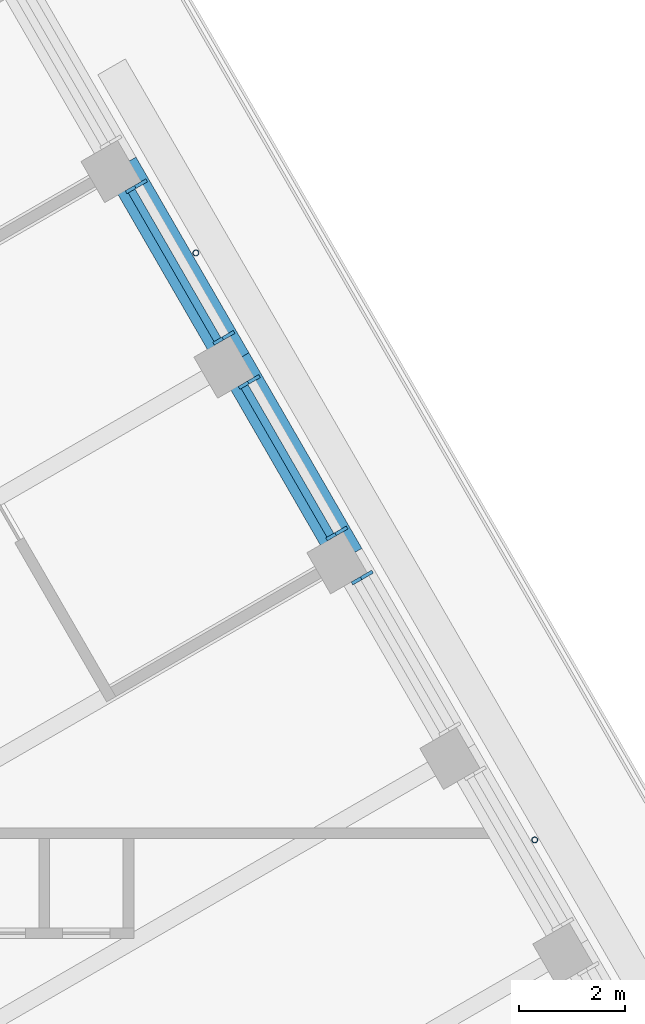
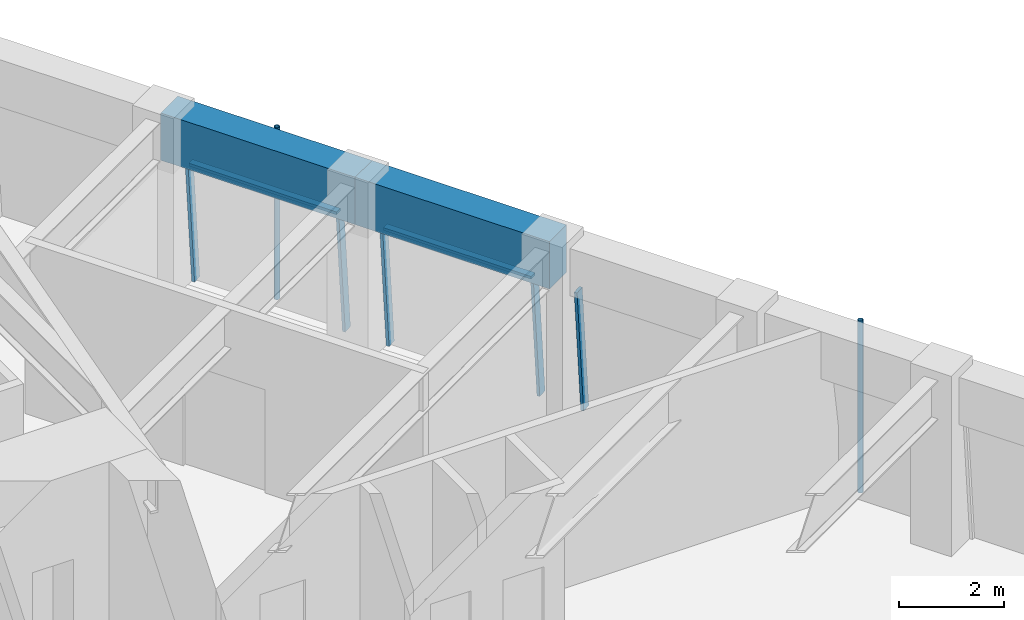
# One storey, part 10 of 19: 9 members, 2 beams, 3 elements without a shape of their own.
"""IFC4 building model written with IfcOpenShell, lengths in metres."""

from ifc_helpers import new_model, si_unit, direction, frame, origin, origin_2d, place, context, subcontext, project, spatial, rectangle, hollow_circle, extrude, material, material_profile, profile_set, type_object, element, aggregate, save


model = new_model("IFC4")

# Units and contexts
model_context = context("Model", 3, precision=1e-05, world=origin(), true_north=direction((0.0, 1.0)))
body_context = subcontext(model_context, "Body", "Model", "MODEL_VIEW")
ifc_project = project(units=[si_unit("LENGTHUNIT", "METRE"), si_unit("AREAUNIT", "SQUARE_METRE"), si_unit("VOLUMEUNIT", "CUBIC_METRE"), si_unit("PLANEANGLEUNIT", "RADIAN"), si_unit("MASSUNIT", "GRAM", prefix="KILO")], contexts=[model_context])

# Site, building, storey
site_placement = place(None, origin())
site = spatial("IfcSite", under=ifc_project, at=site_placement, CompositionType="ELEMENT")
building_placement = place(site_placement, origin())
building = spatial("IfcBuilding", under=site, at=building_placement, Name="Tarfa Lantern Tower", CompositionType="ELEMENT")
storey_placement = place(building_placement, frame((0.0, 0.0, 353.5)))
storey = spatial("IfcBuildingStorey", under=building, at=storey_placement, Name="L80", CompositionType="ELEMENT", Elevation=353.5)

# Curtain wall, member
ifc_material_1 = material(Name="Aluminium framed curtain wall", Category="aluminium")
curtain_wall_type = type_object("IfcCurtainWallType", Name="CW4 CANTED GLAZING EXECUTIVE ZONE 2900", PredefinedType="USERDEFINED", material=ifc_material_1)
curtain_wall_1_placement = place(storey_placement, origin())
curtain_wall_1 = element("IfcCurtainWall", 1, at=curtain_wall_1_placement, inside=storey, type_object=curtain_wall_type, Name="CW4 NE L80", ObjectType="CURTAIN WALL", PredefinedType="USERDEFINED")
ifc_material_2 = material(Name="Aluminium mullion", Category="aluminium")
ifc_material_profile_1 = material_profile(ifc_material_2, rectangle(XDim=0.06494140625, YDim=0.199951171875, at=origin_2d()), Name="AL MULLION 65x200")
ifc_profile_set_1 = profile_set([ifc_material_profile_1], Name="Aluminium mullion")
member_type_1 = type_object("IfcMemberType", Name="CWM1 MULLION 65x200", PredefinedType="MULLION", material=ifc_profile_set_1)
member_1_placement = place(storey_placement, frame((23.32080078125, 12.9072265625, 0.0), z_axis=(-0.074399820079, -0.042945555672, 0.996303340364), x_axis=(0.499919672301, -0.866071776036, 0.0)))
member_1 = element("IfcMember", 2, at=member_1_placement, type_object=member_type_1, Name="CW4 mullion 2", PredefinedType="MULLION", context=body_context, shape_type="SweptSolid", body=[
    extrude(rectangle(XDim=0.06494140625, YDim=0.199951171875, at=origin_2d()), origin(), (0.0, 0.0, 1.0), 2.91064453125),
])
aggregate(curtain_wall_1, [member_1])

# Curtain wall, members
curtain_wall_2_placement = place(storey_placement, origin())
curtain_wall_2 = element("IfcCurtainWall", 3, at=curtain_wall_2_placement, inside=storey, type_object=curtain_wall_type, Name="CW4 NE L80", ObjectType="CURTAIN WALL", PredefinedType="USERDEFINED")
member_2_placement = place(storey_placement, frame((22.83837890625, 13.742919921875, 0.0), z_axis=(-0.074399820079, -0.042945555672, 0.996303340364), x_axis=(0.499919672301, -0.866071776036, 0.0)))
member_2 = element("IfcMember", 4, at=member_2_placement, type_object=member_type_1, Name="CW4 mullion 1", PredefinedType="MULLION", context=body_context, shape_type="SweptSolid", body=[
    extrude(rectangle(XDim=0.06494140625, YDim=0.199951171875, at=origin_2d()), origin(), (0.0, 0.0, 1.0), 2.91064453125),
])
member_3_placement = place(storey_placement, frame((21.179931640625, 16.615478515625, 0.0), z_axis=(-0.074399820079, -0.042945555672, 0.996303340364), x_axis=(0.499919672301, -0.866071776036, 0.0)))
member_3 = element("IfcMember", 5, at=member_3_placement, type_object=member_type_1, Name="CW4 mullion 2", PredefinedType="MULLION", context=body_context, shape_type="SweptSolid", body=[
    extrude(rectangle(XDim=0.06494140625, YDim=0.199951171875, at=origin_2d()), origin(), (0.0, 0.0, 1.0), 2.91064453125),
])

curtain_wall_3_placement = place(storey_placement, origin())
curtain_wall_3 = element("IfcCurtainWall", 6, at=curtain_wall_3_placement, inside=storey, type_object=curtain_wall_type, Name="CW4 NE L80", ObjectType="CURTAIN WALL", PredefinedType="USERDEFINED")
member_4_placement = place(storey_placement, frame((20.697265625, 17.451171875, 0.0), z_axis=(-0.074399820079, -0.042945555672, 0.996303340364), x_axis=(0.499919672301, -0.866071776036, 0.0)))
member_4 = element("IfcMember", 7, at=member_4_placement, type_object=member_type_1, Name="CW4 mullion 1", PredefinedType="MULLION", context=body_context, shape_type="SweptSolid", body=[
    extrude(rectangle(XDim=0.06494140625, YDim=0.199951171875, at=origin_2d()), origin(), (0.0, 0.0, 1.0), 2.91064453125),
])
member_5_placement = place(storey_placement, frame((19.038818359375, 20.32373046875, 0.0), z_axis=(-0.074399820079, -0.042945555672, 0.996303340364), x_axis=(0.499919672301, -0.866071776036, 0.0)))
member_5 = element("IfcMember", 8, at=member_5_placement, type_object=member_type_1, Name="CW4 mullion 2", PredefinedType="MULLION", context=body_context, shape_type="SweptSolid", body=[
    extrude(rectangle(XDim=0.06494140625, YDim=0.199951171875, at=origin_2d()), origin(), (0.0, 0.0, 1.0), 2.91064453125),
])

# Member
ifc_material_3 = material(Name="Aluminium transom", Category="aluminium")
ifc_material_profile_2 = material_profile(ifc_material_3, rectangle(XDim=0.14990234375, YDim=0.06494140625, at=origin_2d()), Name="AL TRANSOM 150x65")
ifc_profile_set_2 = profile_set([ifc_material_profile_2], Name="Aluminium transom")
member_type_2 = type_object("IfcMemberType", Name="CWT1 TRANSOM 150x65", PredefinedType="USERDEFINED", material=ifc_profile_set_2)
member_6_placement = place(storey_placement, frame((22.60791015625, 13.6474609375, 2.867431640625), z_axis=(-0.500014901547, 0.866016800201, 0.0), x_axis=(-0.866016800201, -0.500014901547, 0.0)))
member_6 = element("IfcMember", 9, at=member_6_placement, type_object=member_type_2, Name="CW4 transom 1.2", ObjectType="TRANSOM", PredefinedType="USERDEFINED", context=body_context, shape_type="SweptSolid", body=[
    extrude(rectangle(XDim=0.14990234375, YDim=0.06494140625, at=origin_2d()), origin(), (0.0, 0.0, 1.0), 3.251953125),
])

aggregate(curtain_wall_2, [member_2, member_3, member_6])

member_7_placement = place(storey_placement, frame((20.467041015625, 17.355712890625, 2.867431640625), z_axis=(-0.499982393232, 0.866035568818, 0.0), x_axis=(-0.866035568818, -0.499982393232, 0.0)))
member_7 = element("IfcMember", 10, at=member_7_placement, type_object=member_type_2, Name="CW4 transom 1.2", ObjectType="TRANSOM", PredefinedType="USERDEFINED", context=body_context, shape_type="SweptSolid", body=[
    extrude(rectangle(XDim=0.14990234375, YDim=0.06494140625, at=origin_2d()), origin(), (0.0, 0.0, 1.0), 3.251953125),
])

aggregate(curtain_wall_3, [member_4, member_5, member_7])

# Beams
ifc_material_4 = material(Name="Concrete C80/95", Category="concrete")
ifc_material_profile_3 = material_profile(ifc_material_4, rectangle(XDim=0.64990234375, YDim=1.10009765625, at=origin_2d()), Name="RC 650x1100")
ifc_profile_set_3 = profile_set([ifc_material_profile_3], Name="Concrete C80/95")
beam_type = type_object("IfcBeamType", Name="EB4 RC 650x1100", PredefinedType="SPANDREL", material=ifc_profile_set_3)
for number, where, z_axis, x_axis, name in (
    (11, (22.923583984375, 13.235107421875, 3.449951171875), (-0.499984039138, 0.866034618596, 0.0), (-0.866034618596, -0.499984039138, 0.0), "Edge beam NE3"),
    (12, (20.78271484375, 16.943359375, 3.449951171875), (-0.500026801138, 0.866009929587, 0.0), (-0.866009929587, -0.500026801138, 0.0), "Edge beam NE4"),
):
    element("IfcBeam", number, at=place(storey_placement, frame(where, z_axis=z_axis, x_axis=x_axis)), inside=storey, type_object=beam_type, Name=name, PredefinedType="SPANDREL", context=body_context, shape_type="SweptSolid", body=[
        extrude(rectangle(XDim=0.64990234375, YDim=1.10009765625, at=origin_2d()), origin(), (0.0, 0.0, 1.0), 4.281982421875),
    ])

# Members
ifc_material_5 = material(Name="Steel S355", Category="steel")
ifc_material_profile_4 = material_profile(ifc_material_5, hollow_circle(Radius=0.05712890625, WallThickness=0.00634765625, at=origin_2d()), Name="CHS114.3x6.3")
ifc_profile_set_4 = profile_set([ifc_material_profile_4], Name="Steel S355")
member_type_3 = type_object("IfcMemberType", Name="TR1 GREEN WALL TRELLIS CHS114.3x6.3", PredefinedType="USERDEFINED", material=ifc_profile_set_4)
for number, where, z_axis, x_axis, name in (
    (13, (26.481689453125, 7.87255859375, 0.0), (0.0, 0.0, 1.0), (1.0, 0.0, 0.0), "Trellis post NE 1"),
    (14, (20.05859375, 18.99755859375, 0.0), (0.0, 0.0, 1.0), (1.0, 0.0, 0.0), "Trellis post NE 2"),
):
    element("IfcMember", number, at=place(storey_placement, frame(where, z_axis=z_axis, x_axis=x_axis)), inside=storey, type_object=member_type_3, Name=name, ObjectType="TRELLIS", PredefinedType="USERDEFINED", context=body_context, shape_type="SweptSolid", body=[
        extrude(hollow_circle(Radius=0.05712890625, WallThickness=0.00634765625, at=origin_2d()), origin(), (0.0, 0.0, 1.0), 4.0),
    ])

save(model, "model.ifc")
